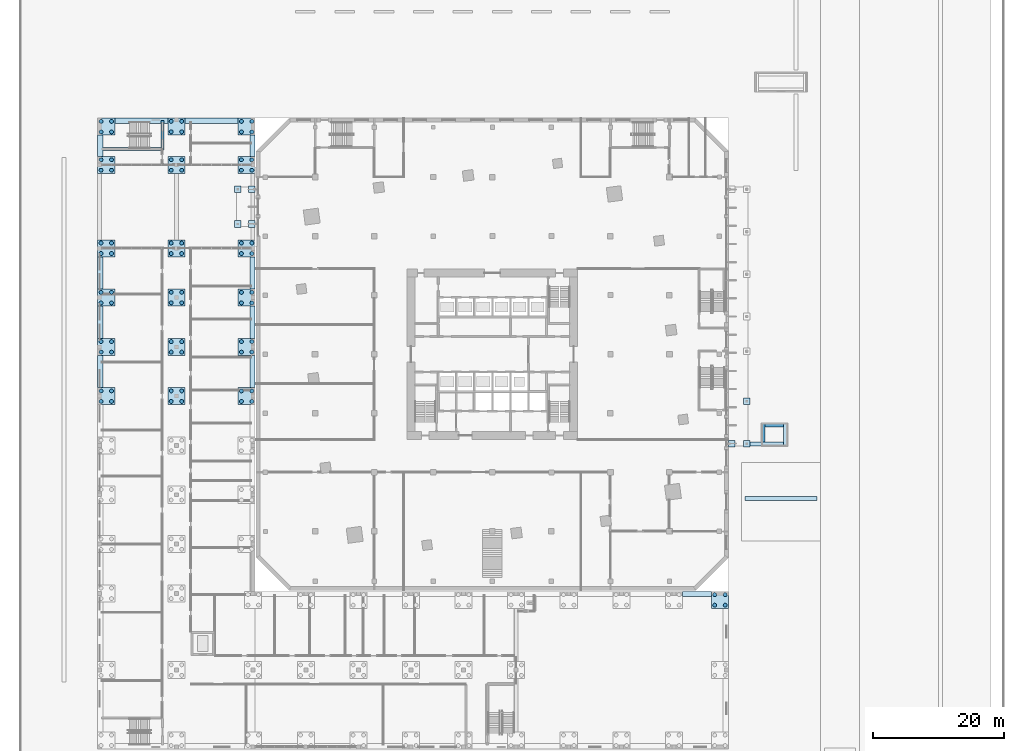
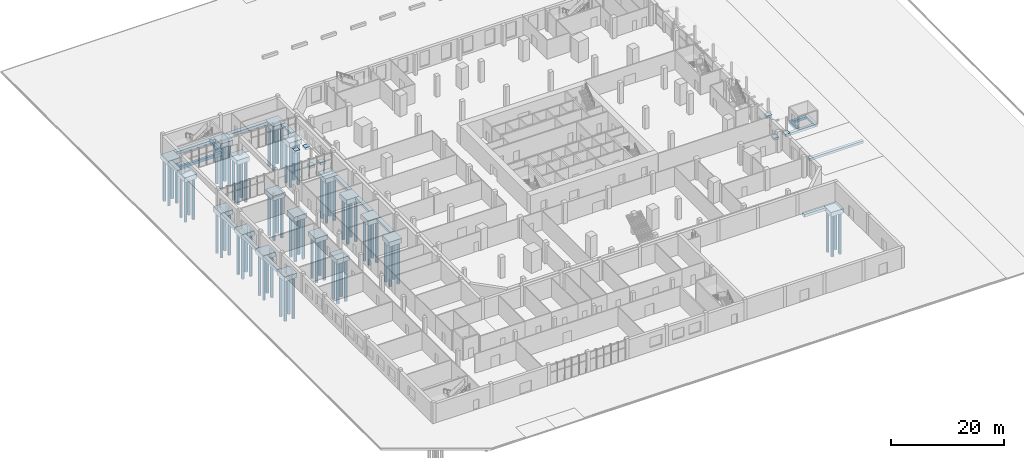
# One storey, part 3 of 42: 76 piles, 44 footings.
"""IFC4 building model written with IfcOpenShell, lengths in metres."""

from ifc_helpers import new_model, si_unit, direction, frame, origin, origin_2d, place, context, subcontext, project, spatial, polyline, circle, outline, extrude, material, material_profile, profile_set, type_object, element, save


model = new_model("IFC4")

# Units and contexts
model_context = context("Model", 3, precision=1e-05, world=origin(), true_north=direction((0.0, 1.0)))
body_context = subcontext(model_context, "Body", "Model", "MODEL_VIEW")
ifc_project = project(units=[si_unit("LENGTHUNIT", "METRE"), si_unit("AREAUNIT", "SQUARE_METRE"), si_unit("VOLUMEUNIT", "CUBIC_METRE"), si_unit("PLANEANGLEUNIT", "RADIAN"), si_unit("MASSUNIT", "GRAM", prefix="KILO")], contexts=[model_context])

# Site, building, storey
site_placement = place(None, origin())
site = spatial("IfcSite", under=ifc_project, at=site_placement, CompositionType="ELEMENT")
building_placement = place(site_placement, origin())
building = spatial("IfcBuilding", under=site, at=building_placement, Name="Dilmun Exchange Tower", CompositionType="ELEMENT")
storey_placement = place(building_placement, origin())
storey = spatial("IfcBuildingStorey", under=building, at=storey_placement, Name="L00", CompositionType="ELEMENT", Elevation=0.0)

# Footings
ifc_material_1 = material(Name="Concrete C32/40", Category="concrete")
footing_type_1 = type_object("IfcFootingType", Name="Canopy pad footing 1000 x 1000 x 500", PredefinedType="PAD_FOOTING", material=ifc_material_1)
footing_1_placement = place(storey_placement, frame((0.0, 0.0, -0.5)))
element("IfcFooting", 1, at=footing_1_placement, inside=storey, type_object=footing_type_1, Name="Canopy pad footing 3.1", PredefinedType="PAD_FOOTING", context=body_context, shape_type="SweptSolid", body=[
    extrude(outline(polyline([(38.300048828125, -14.14990234375), (39.300048828125, -14.14990234375), (39.300048828125, -13.14990234375), (38.300048828125, -13.14990234375), (38.300048828125, -14.14990234375)])), origin(), (0.0, 0.0, 1.0), 0.5),
])
footing_2_placement = place(storey_placement, frame((0.0, 0.0, -0.5)))
element("IfcFooting", 2, at=footing_2_placement, inside=storey, type_object=footing_type_1, Name="Canopy pad footing 3.2", PredefinedType="PAD_FOOTING", context=body_context, shape_type="SweptSolid", body=[
    extrude(outline(polyline([(38.300048828125, -7.683349609375), (39.300048828125, -7.683349609375), (39.300048828125, -6.683349609375), (38.300048828125, -6.683349609375), (38.300048828125, -7.683349609375)])), origin(), (0.0, 0.0, 1.0), 0.5),
])
footing_3_placement = place(storey_placement, frame((0.0, 0.0, -0.5)))
element("IfcFooting", 3, at=footing_3_placement, inside=storey, type_object=footing_type_1, Name="Canopy pad footing 3.8", PredefinedType="PAD_FOOTING", context=body_context, shape_type="SweptSolid", body=[
    extrude(outline(polyline([(36.02001953125, -14.14990234375), (37.02001953125, -14.14990234375), (37.02001953125, -13.14990234375), (36.02001953125, -13.14990234375), (36.02001953125, -14.14990234375)])), origin(), (0.0, 0.0, 1.0), 0.5),
])
footing_4_placement = place(storey_placement, frame((0.0, 0.0, -0.5)))
element("IfcFooting", 4, at=footing_4_placement, inside=storey, type_object=footing_type_1, Name="Canopy pad footing 7.1", PredefinedType="PAD_FOOTING", context=body_context, shape_type="SweptSolid", body=[
    extrude(outline(polyline([(-39.300048828125, 24.64990234375), (-38.300048828125, 24.64990234375), (-38.300048828125, 25.64990234375), (-39.300048828125, 25.64990234375), (-39.300048828125, 24.64990234375)])), origin(), (0.0, 0.0, 1.0), 0.5),
])
footing_5_placement = place(storey_placement, frame((0.0, 0.0, -0.5)))
element("IfcFooting", 5, at=footing_5_placement, inside=storey, type_object=footing_type_1, Name="Canopy pad footing 7.2", PredefinedType="PAD_FOOTING", context=body_context, shape_type="SweptSolid", body=[
    extrude(outline(polyline([(-39.300048828125, 19.35009765625), (-38.300048828125, 19.35009765625), (-38.300048828125, 20.35009765625), (-39.300048828125, 20.35009765625), (-39.300048828125, 19.35009765625)])), origin(), (0.0, 0.0, 1.0), 0.5),
])
footing_6_placement = place(storey_placement, frame((0.0, 0.0, -0.5)))
element("IfcFooting", 6, at=footing_6_placement, inside=storey, type_object=footing_type_1, Name="Canopy pad footing 7.3", PredefinedType="PAD_FOOTING", context=body_context, shape_type="SweptSolid", body=[
    extrude(outline(polyline([(-37.169921875, 24.64990234375), (-36.169921875, 24.64990234375), (-36.169921875, 25.64990234375), (-37.169921875, 25.64990234375), (-37.169921875, 24.64990234375)])), origin(), (0.0, 0.0, 1.0), 0.5),
])
footing_7_placement = place(storey_placement, frame((0.0, 0.0, -0.5)))
element("IfcFooting", 7, at=footing_7_placement, inside=storey, type_object=footing_type_1, Name="Canopy pad footing 7.4", PredefinedType="PAD_FOOTING", context=body_context, shape_type="SweptSolid", body=[
    extrude(outline(polyline([(-37.169921875, 19.35009765625), (-36.169921875, 19.35009765625), (-36.169921875, 20.35009765625), (-37.169921875, 20.35009765625), (-37.169921875, 19.35009765625)])), origin(), (0.0, 0.0, 1.0), 0.5),
])

# Piles
ifc_material_profile = material_profile(ifc_material_1, circle(Radius=0.300048828125, at=origin_2d()), Name="D600")
ifc_profile_set = profile_set([ifc_material_profile], Name="Concrete C32/40")
pile_type = type_object("IfcPileType", Name="School bored pile D600", PredefinedType="BORED", material=ifc_profile_set)
for number, where, z_axis, x_axis, name in (
    (8, (-59.64990234375, -7.193115234375, -1.050048828125), (0.0, 0.0, -1.0), (1.0, 0.0, 0.0), "School pile X01Y07"),
    (9, (-59.64990234375, -5.593017578125, -1.050048828125), (0.0, 0.0, -1.0), (1.0, 0.0, 0.0), "School pile X01Y07"),
    (10, (-58.050048828125, -7.193115234375, -1.050048828125), (0.0, 0.0, -1.0), (1.0, 0.0, 0.0), "School pile X01Y07"),
    (11, (-58.050048828125, -5.593017578125, -1.050048828125), (0.0, 0.0, -1.0), (1.0, 0.0, 0.0), "School pile X01Y07"),
    (12, (-59.64990234375, 0.321044921875, -1.050048828125), (0.0, 0.0, -1.0), (1.0, 0.0, 0.0), "School pile X01Y08"),
    (13, (-59.64990234375, 1.9208984375, -1.050048828125), (0.0, 0.0, -1.0), (1.0, 0.0, 0.0), "School pile X01Y08"),
    (14, (-58.050048828125, 0.321044921875, -1.050048828125), (0.0, 0.0, -1.0), (1.0, 0.0, 0.0), "School pile X01Y08"),
    (15, (-58.050048828125, 1.9208984375, -1.050048828125), (0.0, 0.0, -1.0), (1.0, 0.0, 0.0), "School pile X01Y08"),
    (16, (-59.64990234375, 7.8359375, -1.050048828125), (0.0, 0.0, -1.0), (1.0, 0.0, 0.0), "School pile X01Y09"),
    (17, (-59.64990234375, 9.43603515625, -1.050048828125), (0.0, 0.0, -1.0), (1.0, 0.0, 0.0), "School pile X01Y09"),
    (18, (-58.050048828125, 7.8359375, -1.050048828125), (0.0, 0.0, -1.0), (1.0, 0.0, 0.0), "School pile X01Y09"),
    (19, (-58.050048828125, 9.43603515625, -1.050048828125), (0.0, 0.0, -1.0), (1.0, 0.0, 0.0), "School pile X01Y09"),
    (20, (-59.64990234375, 15.35009765625, -1.050048828125), (0.0, 0.0, -1.0), (1.0, 0.0, 0.0), "School pile X01Y10"),
    (21, (-59.64990234375, 16.949951171875, -1.050048828125), (0.0, 0.0, -1.0), (1.0, 0.0, 0.0), "School pile X01Y10"),
    (22, (-58.050048828125, 15.35009765625, -1.050048828125), (0.0, 0.0, -1.0), (1.0, 0.0, 0.0), "School pile X01Y10"),
    (23, (-58.050048828125, 16.949951171875, -1.050048828125), (0.0, 0.0, -1.0), (1.0, 0.0, 0.0), "School pile X01Y10"),
    (24, (-59.64990234375, 28.050048828125, -1.050048828125), (0.0, 0.0, -1.0), (1.0, 0.0, 0.0), "School pile X01Y11"),
    (25, (-59.64990234375, 29.64990234375, -1.050048828125), (0.0, 0.0, -1.0), (1.0, 0.0, 0.0), "School pile X01Y11"),
    (26, (-58.050048828125, 28.050048828125, -1.050048828125), (0.0, 0.0, -1.0), (1.0, 0.0, 0.0), "School pile X01Y11"),
    (27, (-58.050048828125, 29.64990234375, -1.050048828125), (0.0, 0.0, -1.0), (1.0, 0.0, 0.0), "School pile X01Y11"),
    (28, (-59.64990234375, 33.89990234375, -1.050048828125), (0.0, 0.0, -1.0), (1.0, 0.0, 0.0), "School pile X01Y12"),
    (29, (-59.64990234375, 35.5, -1.050048828125), (0.0, 0.0, -1.0), (1.0, 0.0, 0.0), "School pile X01Y12"),
    (30, (-58.050048828125, 33.89990234375, -1.050048828125), (0.0, 0.0, -1.0), (1.0, 0.0, 0.0), "School pile X01Y12"),
    (31, (-58.050048828125, 35.5, -1.050048828125), (0.0, 0.0, -1.0), (1.0, 0.0, 0.0), "School pile X01Y12"),
    (32, (-48.949951171875, -7.193115234375, -1.050048828125), (0.0, 0.0, -1.0), (1.0, 0.0, 0.0), "School pile X02Y07"),
    (33, (-48.949951171875, -5.593017578125, -1.050048828125), (0.0, 0.0, -1.0), (1.0, 0.0, 0.0), "School pile X02Y07"),
    (34, (-47.35009765625, -7.193115234375, -1.050048828125), (0.0, 0.0, -1.0), (1.0, 0.0, 0.0), "School pile X02Y07"),
    (35, (-47.35009765625, -5.593017578125, -1.050048828125), (0.0, 0.0, -1.0), (1.0, 0.0, 0.0), "School pile X02Y07"),
    (36, (-48.949951171875, 0.321044921875, -1.050048828125), (0.0, 0.0, -1.0), (1.0, 0.0, 0.0), "School pile X02Y08"),
    (37, (-48.949951171875, 1.9208984375, -1.050048828125), (0.0, 0.0, -1.0), (1.0, 0.0, 0.0), "School pile X02Y08"),
    (38, (-47.35009765625, 0.321044921875, -1.050048828125), (0.0, 0.0, -1.0), (1.0, 0.0, 0.0), "School pile X02Y08"),
    (39, (-47.35009765625, 1.9208984375, -1.050048828125), (0.0, 0.0, -1.0), (1.0, 0.0, 0.0), "School pile X02Y08"),
    (40, (-48.949951171875, 7.8359375, -1.050048828125), (0.0, 0.0, -1.0), (1.0, 0.0, 0.0), "School pile X02Y09"),
    (41, (-48.949951171875, 9.43603515625, -1.050048828125), (0.0, 0.0, -1.0), (1.0, 0.0, 0.0), "School pile X02Y09"),
    (42, (-47.35009765625, 7.8359375, -1.050048828125), (0.0, 0.0, -1.0), (1.0, 0.0, 0.0), "School pile X02Y09"),
    (43, (-47.35009765625, 9.43603515625, -1.050048828125), (0.0, 0.0, -1.0), (1.0, 0.0, 0.0), "School pile X02Y09"),
    (44, (-48.949951171875, 15.35009765625, -1.050048828125), (0.0, 0.0, -1.0), (1.0, 0.0, 0.0), "School pile X02Y10"),
    (45, (-48.949951171875, 16.949951171875, -1.050048828125), (0.0, 0.0, -1.0), (1.0, 0.0, 0.0), "School pile X02Y10"),
    (46, (-47.35009765625, 15.35009765625, -1.050048828125), (0.0, 0.0, -1.0), (1.0, 0.0, 0.0), "School pile X02Y10"),
    (47, (-47.35009765625, 16.949951171875, -1.050048828125), (0.0, 0.0, -1.0), (1.0, 0.0, 0.0), "School pile X02Y10"),
    (48, (-48.949951171875, 28.050048828125, -1.050048828125), (0.0, 0.0, -1.0), (1.0, 0.0, 0.0), "School pile X02Y11"),
    (49, (-48.949951171875, 29.64990234375, -1.050048828125), (0.0, 0.0, -1.0), (1.0, 0.0, 0.0), "School pile X02Y11"),
    (50, (-47.35009765625, 28.050048828125, -1.050048828125), (0.0, 0.0, -1.0), (1.0, 0.0, 0.0), "School pile X02Y11"),
    (51, (-47.35009765625, 29.64990234375, -1.050048828125), (0.0, 0.0, -1.0), (1.0, 0.0, 0.0), "School pile X02Y11"),
    (52, (-48.949951171875, 33.89990234375, -1.050048828125), (0.0, 0.0, -1.0), (1.0, 0.0, 0.0), "School pile X02Y12"),
    (53, (-48.949951171875, 35.5, -1.050048828125), (0.0, 0.0, -1.0), (1.0, 0.0, 0.0), "School pile X02Y12"),
    (54, (-47.35009765625, 33.89990234375, -1.050048828125), (0.0, 0.0, -1.0), (1.0, 0.0, 0.0), "School pile X02Y12"),
    (55, (-47.35009765625, 35.5, -1.050048828125), (0.0, 0.0, -1.0), (1.0, 0.0, 0.0), "School pile X02Y12"),
    (56, (-38.25, -7.193115234375, -1.050048828125), (0.0, 0.0, -1.0), (1.0, 0.0, 0.0), "School pile X03Y07"),
    (57, (-38.25, -5.593017578125, -1.050048828125), (0.0, 0.0, -1.0), (1.0, 0.0, 0.0), "School pile X03Y07"),
    (58, (-36.64990234375, -7.193115234375, -1.050048828125), (0.0, 0.0, -1.0), (1.0, 0.0, 0.0), "School pile X03Y07"),
    (59, (-36.64990234375, -5.593017578125, -1.050048828125), (0.0, 0.0, -1.0), (1.0, 0.0, 0.0), "School pile X03Y07"),
    (60, (-38.25, 0.321044921875, -1.050048828125), (0.0, 0.0, -1.0), (1.0, 0.0, 0.0), "School pile X03Y08"),
    (61, (-38.25, 1.9208984375, -1.050048828125), (0.0, 0.0, -1.0), (1.0, 0.0, 0.0), "School pile X03Y08"),
    (62, (-36.64990234375, 0.321044921875, -1.050048828125), (0.0, 0.0, -1.0), (1.0, 0.0, 0.0), "School pile X03Y08"),
    (63, (-36.64990234375, 1.9208984375, -1.050048828125), (0.0, 0.0, -1.0), (1.0, 0.0, 0.0), "School pile X03Y08"),
    (64, (-38.25, 7.8359375, -1.050048828125), (0.0, 0.0, -1.0), (1.0, 0.0, 0.0), "School pile X03Y09"),
    (65, (-38.25, 9.43603515625, -1.050048828125), (0.0, 0.0, -1.0), (1.0, 0.0, 0.0), "School pile X03Y09"),
    (66, (-36.64990234375, 7.8359375, -1.050048828125), (0.0, 0.0, -1.0), (1.0, 0.0, 0.0), "School pile X03Y09"),
    (67, (-36.64990234375, 9.43603515625, -1.050048828125), (0.0, 0.0, -1.0), (1.0, 0.0, 0.0), "School pile X03Y09"),
    (68, (-38.25, 15.35009765625, -1.050048828125), (0.0, 0.0, -1.0), (1.0, 0.0, 0.0), "School pile X03Y10"),
    (69, (-38.25, 16.949951171875, -1.050048828125), (0.0, 0.0, -1.0), (1.0, 0.0, 0.0), "School pile X03Y10"),
    (70, (-36.64990234375, 15.35009765625, -1.050048828125), (0.0, 0.0, -1.0), (1.0, 0.0, 0.0), "School pile X03Y10"),
    (71, (-36.64990234375, 16.949951171875, -1.050048828125), (0.0, 0.0, -1.0), (1.0, 0.0, 0.0), "School pile X03Y10"),
    (72, (-38.25, 28.050048828125, -1.050048828125), (0.0, 0.0, -1.0), (1.0, 0.0, 0.0), "School pile X03Y11"),
    (73, (-38.25, 29.64990234375, -1.050048828125), (0.0, 0.0, -1.0), (1.0, 0.0, 0.0), "School pile X03Y11"),
    (74, (-36.64990234375, 28.050048828125, -1.050048828125), (0.0, 0.0, -1.0), (1.0, 0.0, 0.0), "School pile X03Y11"),
    (75, (-36.64990234375, 29.64990234375, -1.050048828125), (0.0, 0.0, -1.0), (1.0, 0.0, 0.0), "School pile X03Y11"),
    (76, (-38.25, 33.89990234375, -1.050048828125), (0.0, 0.0, -1.0), (1.0, 0.0, 0.0), "School pile X03Y12"),
    (77, (-38.25, 35.5, -1.050048828125), (0.0, 0.0, -1.0), (1.0, 0.0, 0.0), "School pile X03Y12"),
    (78, (-36.64990234375, 33.89990234375, -1.050048828125), (0.0, 0.0, -1.0), (1.0, 0.0, 0.0), "School pile X03Y12"),
    (79, (-36.64990234375, 35.5, -1.050048828125), (0.0, 0.0, -1.0), (1.0, 0.0, 0.0), "School pile X03Y12"),
    (80, (33.89990234375, -38.25, -1.050048828125), (0.0, 0.0, -1.0), (1.0, 0.0, 0.0), "School pile X12Y03"),
    (81, (33.89990234375, -36.64990234375, -1.050048828125), (0.0, 0.0, -1.0), (1.0, 0.0, 0.0), "School pile X12Y03"),
    (82, (35.5, -38.25, -1.050048828125), (0.0, 0.0, -1.0), (1.0, 0.0, 0.0), "School pile X12Y03"),
    (83, (35.5, -36.64990234375, -1.050048828125), (0.0, 0.0, -1.0), (1.0, 0.0, 0.0), "School pile X12Y03"),
):
    element("IfcPile", number, at=place(storey_placement, frame(where, z_axis=z_axis, x_axis=x_axis)), inside=storey, type_object=pile_type, Name=name, PredefinedType="BORED", context=body_context, shape_type="SweptSolid", body=[
        extrude(circle(Radius=0.300048828125, at=origin_2d()), origin(), (0.0, 0.0, 1.0), 9.0),
    ])

# Footings
ifc_material_2 = material(Name="Concrete C40/50", Category="concrete")
footing_type_2 = type_object("IfcFootingType", Name="School grade beam 800 x 600", PredefinedType="STRIP_FOOTING", material=ifc_material_2)
footing_8_placement = place(storey_placement, frame((0.0, 0.0, -0.800048828125)))
element("IfcFooting", 84, at=footing_8_placement, inside=storey, type_object=footing_type_2, Name="School grade beam", PredefinedType="STRIP_FOOTING", context=body_context, shape_type="SweptSolid", body=[
    extrude(outline(polyline([(-59.35009765625, -0.178955078125), (-59.35009765625, -5.093017578125), (-60.14990234375, -5.093017578125), (-60.14990234375, -0.178955078125), (-59.35009765625, -0.178955078125)])), origin(), (0.0, 0.0, 1.0), 0.60009765625),
])
footing_9_placement = place(storey_placement, frame((0.0, 0.0, -0.800048828125)))
element("IfcFooting", 85, at=footing_9_placement, inside=storey, type_object=footing_type_2, Name="School grade beam", PredefinedType="STRIP_FOOTING", context=body_context, shape_type="SweptSolid", body=[
    extrude(outline(polyline([(-59.35009765625, 7.3359375), (-59.35009765625, 2.4208984375), (-60.14990234375, 2.4208984375), (-60.14990234375, 7.3359375), (-59.35009765625, 7.3359375)])), origin(), (0.0, 0.0, 1.0), 0.60009765625),
])
footing_10_placement = place(storey_placement, frame((0.0, 0.0, -0.800048828125)))
element("IfcFooting", 86, at=footing_10_placement, inside=storey, type_object=footing_type_2, Name="School grade beam", PredefinedType="STRIP_FOOTING", context=body_context, shape_type="SweptSolid", body=[
    extrude(outline(polyline([(-59.35009765625, 14.85009765625), (-59.35009765625, 9.93603515625), (-60.14990234375, 9.93603515625), (-60.14990234375, 14.85009765625), (-59.35009765625, 14.85009765625)])), origin(), (0.0, 0.0, 1.0), 0.60009765625),
])
footing_11_placement = place(storey_placement, frame((0.0, 0.0, -0.800048828125)))
element("IfcFooting", 87, at=footing_11_placement, inside=storey, type_object=footing_type_2, Name="School grade beam", PredefinedType="STRIP_FOOTING", context=body_context, shape_type="SweptSolid", body=[
    extrude(outline(polyline([(-59.35009765625, 33.39990234375), (-59.35009765625, 30.14990234375), (-60.14990234375, 30.14990234375), (-60.14990234375, 33.39990234375), (-59.35009765625, 33.39990234375)])), origin(), (0.0, 0.0, 1.0), 0.60009765625),
])
footing_12_placement = place(storey_placement, frame((0.0, 0.0, -0.800048828125)))
element("IfcFooting", 88, at=footing_12_placement, inside=storey, type_object=footing_type_2, Name="School grade beam", PredefinedType="STRIP_FOOTING", context=body_context, shape_type="SweptSolid", body=[
    extrude(outline(polyline([(-49.449951171875, 35.199951171875), (-57.550048828125, 35.199951171875), (-57.550048828125, 36.0), (-49.449951171875, 36.0), (-49.449951171875, 35.199951171875)])), origin(), (0.0, 0.0, 1.0), 0.60009765625),
])
footing_13_placement = place(storey_placement, frame((0.0, 0.0, -0.800048828125)))
element("IfcFooting", 89, at=footing_13_placement, inside=storey, type_object=footing_type_2, Name="School grade beam", PredefinedType="STRIP_FOOTING", context=body_context, shape_type="SweptSolid", body=[
    extrude(outline(polyline([(-38.75, 35.199951171875), (-46.85009765625, 35.199951171875), (-46.85009765625, 36.0), (-38.75, 36.0), (-38.75, 35.199951171875)])), origin(), (0.0, 0.0, 1.0), 0.60009765625),
])
footing_14_placement = place(storey_placement, frame((0.0, 0.0, -0.800048828125)))
element("IfcFooting", 90, at=footing_14_placement, inside=storey, type_object=footing_type_2, Name="School grade beam", PredefinedType="STRIP_FOOTING", context=body_context, shape_type="SweptSolid", body=[
    extrude(outline(polyline([(-36.949951171875, 30.14990234375), (-36.949951171875, 33.39990234375), (-36.14990234375, 33.39990234375), (-36.14990234375, 30.14990234375), (-36.949951171875, 30.14990234375)])), origin(), (0.0, 0.0, 1.0), 0.60009765625),
])
footing_15_placement = place(storey_placement, frame((0.0, 0.0, -0.800048828125)))
element("IfcFooting", 91, at=footing_15_placement, inside=storey, type_object=footing_type_2, Name="School grade beam", PredefinedType="STRIP_FOOTING", context=body_context, shape_type="SweptSolid", body=[
    extrude(outline(polyline([(-36.949951171875, 9.93603515625), (-36.949951171875, 14.85009765625), (-36.14990234375, 14.85009765625), (-36.14990234375, 9.93603515625), (-36.949951171875, 9.93603515625)])), origin(), (0.0, 0.0, 1.0), 0.60009765625),
])
footing_16_placement = place(storey_placement, frame((0.0, 0.0, -0.800048828125)))
element("IfcFooting", 92, at=footing_16_placement, inside=storey, type_object=footing_type_2, Name="School grade beam", PredefinedType="STRIP_FOOTING", context=body_context, shape_type="SweptSolid", body=[
    extrude(outline(polyline([(-36.949951171875, 2.4208984375), (-36.949951171875, 7.3359375), (-36.14990234375, 7.3359375), (-36.14990234375, 2.4208984375), (-36.949951171875, 2.4208984375)])), origin(), (0.0, 0.0, 1.0), 0.60009765625),
])
footing_17_placement = place(storey_placement, frame((0.0, 0.0, -0.800048828125)))
element("IfcFooting", 93, at=footing_17_placement, inside=storey, type_object=footing_type_2, Name="School grade beam", PredefinedType="STRIP_FOOTING", context=body_context, shape_type="SweptSolid", body=[
    extrude(outline(polyline([(-36.949951171875, -5.093017578125), (-36.949951171875, -0.178955078125), (-36.14990234375, -0.178955078125), (-36.14990234375, -5.093017578125), (-36.949951171875, -5.093017578125)])), origin(), (0.0, 0.0, 1.0), 0.60009765625),
])
footing_18_placement = place(storey_placement, frame((0.0, 0.0, -0.800048828125)))
element("IfcFooting", 94, at=footing_18_placement, inside=storey, type_object=footing_type_2, Name="School grade beam", PredefinedType="STRIP_FOOTING", context=body_context, shape_type="SweptSolid", body=[
    extrude(outline(polyline([(33.39990234375, -36.949951171875), (28.98291015625, -36.949951171875), (28.98291015625, -36.14990234375), (33.39990234375, -36.14990234375), (33.39990234375, -36.949951171875)])), origin(), (0.0, 0.0, 1.0), 0.60009765625),
])
footing_19_placement = place(storey_placement, frame((0.0, 0.0, -0.800048828125)))
element("IfcFooting", 95, at=footing_19_placement, inside=storey, type_object=footing_type_2, Name="School grade beam", PredefinedType="STRIP_FOOTING", context=body_context, shape_type="SweptSolid", body=[
    extrude(outline(polyline([(-50.02490234375, 35.64990234375), (-50.02490234375, 31.14990234375), (-50.52490234375, 31.14990234375), (-50.52490234375, 35.64990234375), (-50.02490234375, 35.64990234375)])), origin(), (0.0, 0.0, 1.0), 0.60009765625),
])
footing_20_placement = place(storey_placement, frame((0.0, 0.0, -0.800048828125)))
element("IfcFooting", 96, at=footing_20_placement, inside=storey, type_object=footing_type_2, Name="School grade beam", PredefinedType="STRIP_FOOTING", context=body_context, shape_type="SweptSolid", body=[
    extrude(outline(polyline([(-50.27490234375, 31.02490234375), (-59.800048828125, 31.02490234375), (-59.800048828125, 31.52490234375), (-50.27490234375, 31.52490234375), (-50.27490234375, 31.02490234375)])), origin(), (0.0, 0.0, 1.0), 0.60009765625),
])
footing_type_3 = type_object("IfcFootingType", Name="School pad footing 2600 x 2600 x 1000", PredefinedType="PAD_FOOTING", material=ifc_material_2)
footing_21_placement = place(storey_placement, frame((0.0, 0.0, -1.199951171875)))
element("IfcFooting", 97, at=footing_21_placement, inside=storey, type_object=footing_type_3, Name="School pad footing X01Y07", PredefinedType="PAD_FOOTING", context=body_context, shape_type="SweptSolid", body=[
    extrude(outline(polyline([(-60.14990234375, -7.693115234375), (-60.14990234375, -5.093017578125), (-57.550048828125, -5.093017578125), (-57.550048828125, -7.693115234375), (-60.14990234375, -7.693115234375)])), origin(), (0.0, 0.0, 1.0), 1.0),
])
footing_22_placement = place(storey_placement, frame((0.0, 0.0, -1.199951171875)))
element("IfcFooting", 98, at=footing_22_placement, inside=storey, type_object=footing_type_3, Name="School pad footing X01Y08", PredefinedType="PAD_FOOTING", context=body_context, shape_type="SweptSolid", body=[
    extrude(outline(polyline([(-60.14990234375, -0.178955078125), (-60.14990234375, 2.4208984375), (-57.550048828125, 2.4208984375), (-57.550048828125, -0.178955078125), (-60.14990234375, -0.178955078125)])), origin(), (0.0, 0.0, 1.0), 1.0),
])
footing_23_placement = place(storey_placement, frame((0.0, 0.0, -1.199951171875)))
element("IfcFooting", 99, at=footing_23_placement, inside=storey, type_object=footing_type_3, Name="School pad footing X01Y09", PredefinedType="PAD_FOOTING", context=body_context, shape_type="SweptSolid", body=[
    extrude(outline(polyline([(-60.14990234375, 7.3359375), (-60.14990234375, 9.93603515625), (-57.550048828125, 9.93603515625), (-57.550048828125, 7.3359375), (-60.14990234375, 7.3359375)])), origin(), (0.0, 0.0, 1.0), 1.0),
])
footing_24_placement = place(storey_placement, frame((0.0, 0.0, -1.199951171875)))
element("IfcFooting", 100, at=footing_24_placement, inside=storey, type_object=footing_type_3, Name="School pad footing X01Y10", PredefinedType="PAD_FOOTING", context=body_context, shape_type="SweptSolid", body=[
    extrude(outline(polyline([(-60.14990234375, 14.85009765625), (-60.14990234375, 17.449951171875), (-57.550048828125, 17.449951171875), (-57.550048828125, 14.85009765625), (-60.14990234375, 14.85009765625)])), origin(), (0.0, 0.0, 1.0), 1.0),
])
footing_25_placement = place(storey_placement, frame((0.0, 0.0, -1.199951171875)))
element("IfcFooting", 101, at=footing_25_placement, inside=storey, type_object=footing_type_3, Name="School pad footing X01Y11", PredefinedType="PAD_FOOTING", context=body_context, shape_type="SweptSolid", body=[
    extrude(outline(polyline([(-60.14990234375, 27.550048828125), (-60.14990234375, 30.14990234375), (-57.550048828125, 30.14990234375), (-57.550048828125, 27.550048828125), (-60.14990234375, 27.550048828125)])), origin(), (0.0, 0.0, 1.0), 1.0),
])
footing_26_placement = place(storey_placement, frame((0.0, 0.0, -1.199951171875)))
element("IfcFooting", 102, at=footing_26_placement, inside=storey, type_object=footing_type_3, Name="School pad footing X01Y12", PredefinedType="PAD_FOOTING", context=body_context, shape_type="SweptSolid", body=[
    extrude(outline(polyline([(-60.14990234375, 33.39990234375), (-60.14990234375, 36.0), (-57.550048828125, 36.0), (-57.550048828125, 33.39990234375), (-60.14990234375, 33.39990234375)])), origin(), (0.0, 0.0, 1.0), 1.0),
])
footing_27_placement = place(storey_placement, frame((0.0, 0.0, -1.199951171875)))
element("IfcFooting", 103, at=footing_27_placement, inside=storey, type_object=footing_type_3, Name="School pad footing X02Y07", PredefinedType="PAD_FOOTING", context=body_context, shape_type="SweptSolid", body=[
    extrude(outline(polyline([(-49.449951171875, -7.693115234375), (-49.449951171875, -5.093017578125), (-46.85009765625, -5.093017578125), (-46.85009765625, -7.693115234375), (-49.449951171875, -7.693115234375)])), origin(), (0.0, 0.0, 1.0), 1.0),
])
footing_28_placement = place(storey_placement, frame((0.0, 0.0, -1.199951171875)))
element("IfcFooting", 104, at=footing_28_placement, inside=storey, type_object=footing_type_3, Name="School pad footing X02Y08", PredefinedType="PAD_FOOTING", context=body_context, shape_type="SweptSolid", body=[
    extrude(outline(polyline([(-49.449951171875, -0.178955078125), (-49.449951171875, 2.4208984375), (-46.85009765625, 2.4208984375), (-46.85009765625, -0.178955078125), (-49.449951171875, -0.178955078125)])), origin(), (0.0, 0.0, 1.0), 1.0),
])
footing_29_placement = place(storey_placement, frame((0.0, 0.0, -1.199951171875)))
element("IfcFooting", 105, at=footing_29_placement, inside=storey, type_object=footing_type_3, Name="School pad footing X02Y09", PredefinedType="PAD_FOOTING", context=body_context, shape_type="SweptSolid", body=[
    extrude(outline(polyline([(-49.449951171875, 7.3359375), (-49.449951171875, 9.93603515625), (-46.85009765625, 9.93603515625), (-46.85009765625, 7.3359375), (-49.449951171875, 7.3359375)])), origin(), (0.0, 0.0, 1.0), 1.0),
])
footing_30_placement = place(storey_placement, frame((0.0, 0.0, -1.199951171875)))
element("IfcFooting", 106, at=footing_30_placement, inside=storey, type_object=footing_type_3, Name="School pad footing X02Y10", PredefinedType="PAD_FOOTING", context=body_context, shape_type="SweptSolid", body=[
    extrude(outline(polyline([(-49.449951171875, 14.85009765625), (-49.449951171875, 17.449951171875), (-46.85009765625, 17.449951171875), (-46.85009765625, 14.85009765625), (-49.449951171875, 14.85009765625)])), origin(), (0.0, 0.0, 1.0), 1.0),
])
footing_31_placement = place(storey_placement, frame((0.0, 0.0, -1.199951171875)))
element("IfcFooting", 107, at=footing_31_placement, inside=storey, type_object=footing_type_3, Name="School pad footing X02Y11", PredefinedType="PAD_FOOTING", context=body_context, shape_type="SweptSolid", body=[
    extrude(outline(polyline([(-49.449951171875, 27.550048828125), (-49.449951171875, 30.14990234375), (-46.85009765625, 30.14990234375), (-46.85009765625, 27.550048828125), (-49.449951171875, 27.550048828125)])), origin(), (0.0, 0.0, 1.0), 1.0),
])
footing_32_placement = place(storey_placement, frame((0.0, 0.0, -1.199951171875)))
element("IfcFooting", 108, at=footing_32_placement, inside=storey, type_object=footing_type_3, Name="School pad footing X02Y12", PredefinedType="PAD_FOOTING", context=body_context, shape_type="SweptSolid", body=[
    extrude(outline(polyline([(-49.449951171875, 33.39990234375), (-49.449951171875, 36.0), (-46.85009765625, 36.0), (-46.85009765625, 33.39990234375), (-49.449951171875, 33.39990234375)])), origin(), (0.0, 0.0, 1.0), 1.0),
])
footing_33_placement = place(storey_placement, frame((0.0, 0.0, -1.199951171875)))
element("IfcFooting", 109, at=footing_33_placement, inside=storey, type_object=footing_type_3, Name="School pad footing X03Y07", PredefinedType="PAD_FOOTING", context=body_context, shape_type="SweptSolid", body=[
    extrude(outline(polyline([(-38.75, -7.693115234375), (-38.75, -5.093017578125), (-36.14990234375, -5.093017578125), (-36.14990234375, -7.693115234375), (-38.75, -7.693115234375)])), origin(), (0.0, 0.0, 1.0), 1.0),
])
footing_34_placement = place(storey_placement, frame((0.0, 0.0, -1.199951171875)))
element("IfcFooting", 110, at=footing_34_placement, inside=storey, type_object=footing_type_3, Name="School pad footing X03Y08", PredefinedType="PAD_FOOTING", context=body_context, shape_type="SweptSolid", body=[
    extrude(outline(polyline([(-38.75, -0.178955078125), (-38.75, 2.4208984375), (-36.14990234375, 2.4208984375), (-36.14990234375, -0.178955078125), (-38.75, -0.178955078125)])), origin(), (0.0, 0.0, 1.0), 1.0),
])
footing_35_placement = place(storey_placement, frame((0.0, 0.0, -1.199951171875)))
element("IfcFooting", 111, at=footing_35_placement, inside=storey, type_object=footing_type_3, Name="School pad footing X03Y09", PredefinedType="PAD_FOOTING", context=body_context, shape_type="SweptSolid", body=[
    extrude(outline(polyline([(-38.75, 7.3359375), (-38.75, 9.93603515625), (-36.14990234375, 9.93603515625), (-36.14990234375, 7.3359375), (-38.75, 7.3359375)])), origin(), (0.0, 0.0, 1.0), 1.0),
])
footing_36_placement = place(storey_placement, frame((0.0, 0.0, -1.199951171875)))
element("IfcFooting", 112, at=footing_36_placement, inside=storey, type_object=footing_type_3, Name="School pad footing X03Y10", PredefinedType="PAD_FOOTING", context=body_context, shape_type="SweptSolid", body=[
    extrude(outline(polyline([(-38.75, 14.85009765625), (-38.75, 17.449951171875), (-36.14990234375, 17.449951171875), (-36.14990234375, 14.85009765625), (-38.75, 14.85009765625)])), origin(), (0.0, 0.0, 1.0), 1.0),
])
footing_37_placement = place(storey_placement, frame((0.0, 0.0, -1.199951171875)))
element("IfcFooting", 113, at=footing_37_placement, inside=storey, type_object=footing_type_3, Name="School pad footing X03Y11", PredefinedType="PAD_FOOTING", context=body_context, shape_type="SweptSolid", body=[
    extrude(outline(polyline([(-38.75, 27.550048828125), (-38.75, 30.14990234375), (-36.14990234375, 30.14990234375), (-36.14990234375, 27.550048828125), (-38.75, 27.550048828125)])), origin(), (0.0, 0.0, 1.0), 1.0),
])
footing_38_placement = place(storey_placement, frame((0.0, 0.0, -1.199951171875)))
element("IfcFooting", 114, at=footing_38_placement, inside=storey, type_object=footing_type_3, Name="School pad footing X03Y12", PredefinedType="PAD_FOOTING", context=body_context, shape_type="SweptSolid", body=[
    extrude(outline(polyline([(-38.75, 33.39990234375), (-38.75, 36.0), (-36.14990234375, 36.0), (-36.14990234375, 33.39990234375), (-38.75, 33.39990234375)])), origin(), (0.0, 0.0, 1.0), 1.0),
])
footing_39_placement = place(storey_placement, frame((0.0, 0.0, -1.199951171875)))
element("IfcFooting", 115, at=footing_39_placement, inside=storey, type_object=footing_type_3, Name="School pad footing X12Y03", PredefinedType="PAD_FOOTING", context=body_context, shape_type="SweptSolid", body=[
    extrude(outline(polyline([(33.39990234375, -38.75), (33.39990234375, -36.14990234375), (36.0, -36.14990234375), (36.0, -38.75), (33.39990234375, -38.75)])), origin(), (0.0, 0.0, 1.0), 1.0),
])
footing_type_4 = type_object("IfcFootingType", Name="Site edge footing 600 x 500", PredefinedType="STRIP_FOOTING", material=ifc_material_1)
footing_40_placement = place(storey_placement, frame((0.0, 0.0, -0.830078125)))
element("IfcFooting", 116, at=footing_40_placement, inside=storey, type_object=footing_type_4, Name="Site edge footing", PredefinedType="STRIP_FOOTING", context=body_context, shape_type="SweptSolid", body=[
    extrude(outline(polyline([(49.5, -21.699951171875), (49.5, -22.300048828125), (38.5, -22.300048828125), (38.5, -21.699951171875), (49.5, -21.699951171875)])), origin(), (0.0, 0.0, 1.0), 0.5),
])
footing_type_5 = type_object("IfcFootingType", Name="Store strip footing 600 x 500", PredefinedType="STRIP_FOOTING", material=ifc_material_1)
footing_41_placement = place(storey_placement, frame((0.0, 0.0, -0.64990234375)))
element("IfcFooting", 117, at=footing_41_placement, inside=storey, type_object=footing_type_5, Name="Refuse store strip footing", PredefinedType="STRIP_FOOTING", context=body_context, shape_type="SweptSolid", body=[
    extrude(outline(polyline([(41.0, -13.39990234375), (41.0, -10.5), (41.60009765625, -10.5), (41.60009765625, -13.39990234375), (41.0, -13.39990234375)])), origin(), (0.0, 0.0, 1.0), 0.5),
])
footing_42_placement = place(storey_placement, frame((0.0, 0.0, -0.64990234375)))
element("IfcFooting", 118, at=footing_42_placement, inside=storey, type_object=footing_type_5, Name="Refuse store strip footing", PredefinedType="STRIP_FOOTING", context=body_context, shape_type="SweptSolid", body=[
    extrude(outline(polyline([(44.39990234375, -14.0), (44.39990234375, -10.5), (45.0, -10.5), (45.0, -14.0), (44.39990234375, -14.0)])), origin(), (0.0, 0.0, 1.0), 0.5),
])
footing_43_placement = place(storey_placement, frame((0.0, 0.0, -0.64990234375)))
element("IfcFooting", 119, at=footing_43_placement, inside=storey, type_object=footing_type_5, Name="Refuse store strip footing", PredefinedType="STRIP_FOOTING", context=body_context, shape_type="SweptSolid", body=[
    extrude(outline(polyline([(41.60009765625, -11.10009765625), (41.60009765625, -10.5), (44.39990234375, -10.5), (44.39990234375, -11.10009765625), (41.60009765625, -11.10009765625)])), origin(), (0.0, 0.0, 1.0), 0.5),
])
footing_44_placement = place(storey_placement, frame((0.0, 0.0, -0.64990234375)))
element("IfcFooting", 120, at=footing_44_placement, inside=storey, type_object=footing_type_5, Name="Refuse store strip footing", PredefinedType="STRIP_FOOTING", context=body_context, shape_type="SweptSolid", body=[
    extrude(outline(polyline([(39.300048828125, -14.0), (39.300048828125, -13.39990234375), (44.39990234375, -13.39990234375), (44.39990234375, -14.0), (39.300048828125, -14.0)])), origin(), (0.0, 0.0, 1.0), 0.5),
])

save(model, "model.ifc")
